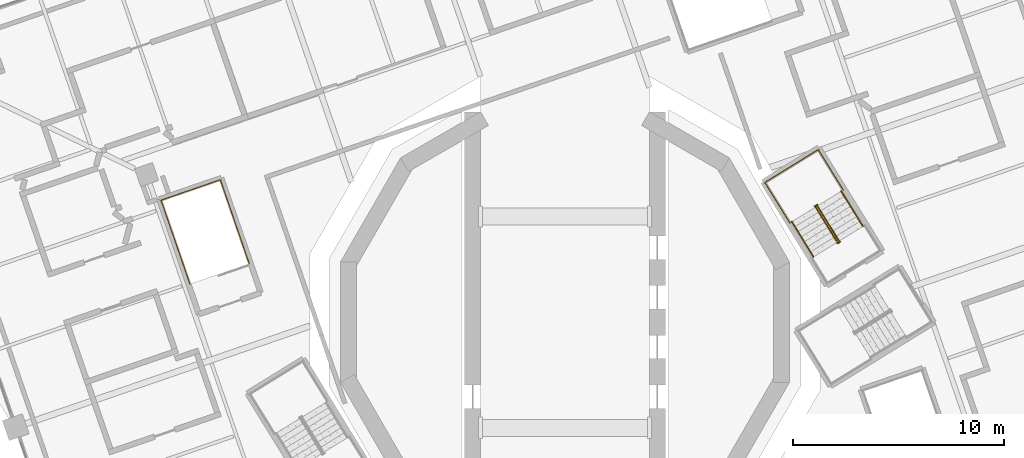
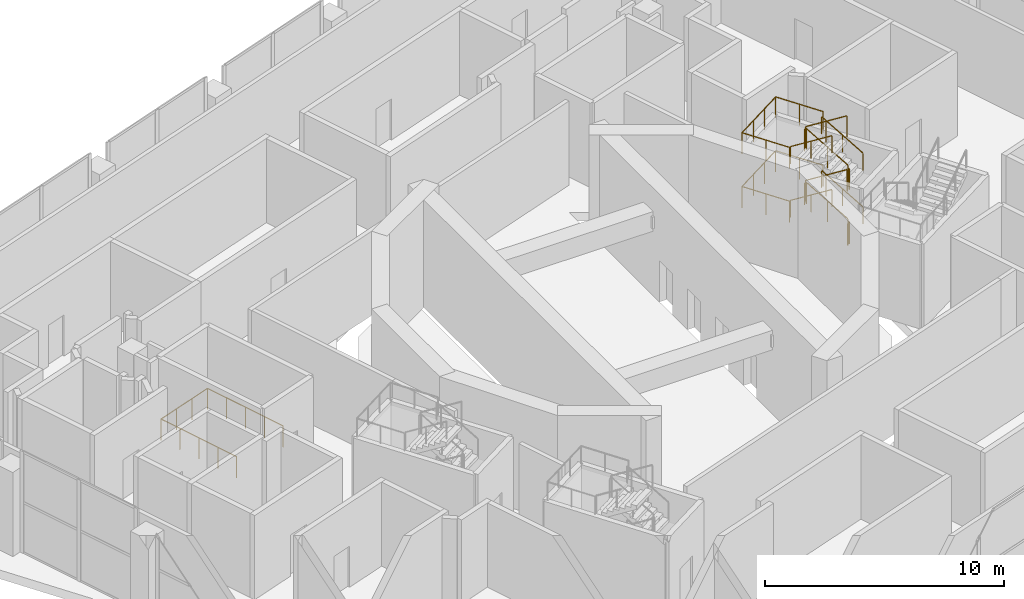
# One storey, part 19 of 20: 12 railings.
"""IFC4 building model written with IfcOpenShell, lengths in metres."""

from ifc_helpers import new_model, si_unit, direction, frame, origin, origin_2d, place, context, subcontext, project, spatial, circle, extrude, material, type_object, element, save


model = new_model("IFC4")

# Units and contexts
model_context = context("Model", 3, precision=1e-05, world=origin(), true_north=direction((0.0, 1.0)))
body_context = subcontext(model_context, "Body", "Model", "MODEL_VIEW")
ifc_project = project(units=[si_unit("LENGTHUNIT", "METRE"), si_unit("AREAUNIT", "SQUARE_METRE"), si_unit("VOLUMEUNIT", "CUBIC_METRE"), si_unit("PLANEANGLEUNIT", "RADIAN"), si_unit("MASSUNIT", "GRAM", prefix="KILO")], contexts=[model_context])

# Site, building, storey
site_placement = place(None, origin())
site = spatial("IfcSite", under=ifc_project, at=site_placement, CompositionType="ELEMENT")
building_placement = place(site_placement, origin())
building = spatial("IfcBuilding", under=site, at=building_placement, Name="Cantera Rosa Tower", CompositionType="ELEMENT")
storey_placement = place(building_placement, frame((0.0, 0.0, 142.10009765625)))
storey = spatial("IfcBuildingStorey", under=building, at=storey_placement, Name="L30", CompositionType="ELEMENT", Elevation=142.10009765625)

# Railings
ifc_material_1 = material(Name="Steel S355J2 (EN 10025-2)", Category="steel")
railing_type_1 = type_object("IfcRailingType", Name="STAIR GUARD 1100", PredefinedType="GUARDRAIL", material=ifc_material_1)
railing_1_placement = place(storey_placement, frame((-14.944091796875, 2.77099609375, 0.0)))
element("IfcRailing", 1, at=railing_1_placement, inside=storey, type_object=railing_type_1, Name="L30 ST-22 top well guard 2", PredefinedType="GUARDRAIL", context=body_context, shape_type="SweptSolid", body=[
    extrude(circle(Radius=0.02392578125, at=origin_2d()), frame((0.0, 0.0, 1.076171875), z_axis=(-0.325546180042, 0.945526141712, 0.0), x_axis=(-0.945526141712, -0.325546180042, 0.0)), (0.0, 0.0, 1.0), 4.1982421875),
    extrude(circle(Radius=0.02392578125, at=origin_2d()), frame((-1.36669921875, 3.969482421875, 1.076171875), z_axis=(-0.945504814226, -0.325608117645, 0.0), x_axis=(0.325608117645, -0.945504814226, 0.0)), (0.0, 0.0, 1.0), 2.969970703125),
    extrude(circle(Radius=0.02392578125, at=origin_2d()), frame((-4.1748046875, 3.00244140625, 1.076171875), z_axis=(0.325564081496, -0.945519978022, 0.0), x_axis=(0.945519978022, 0.325564081496, 0.0)), (0.0, 0.0, 1.0), 4.197998046875),
    extrude(circle(Radius=0.02099609375, at=origin_2d()), origin(), (0.0, 0.0, 1.0), 1.052001953125),
    extrude(circle(Radius=0.02099609375, at=origin_2d()), frame((-0.341796875, 0.992431640625, 0.0)), (0.0, 0.0, 1.0), 1.052001953125),
    extrude(circle(Radius=0.02099609375, at=origin_2d()), frame((-0.683349609375, 1.98486328125, 0.0)), (0.0, 0.0, 1.0), 1.052001953125),
    extrude(circle(Radius=0.02099609375, at=origin_2d()), frame((-1.02490234375, 2.97705078125, 0.0)), (0.0, 0.0, 1.0), 1.052001953125),
    extrude(circle(Radius=0.02099609375, at=origin_2d()), frame((-1.36669921875, 3.969482421875, 0.0)), (0.0, 0.0, 1.0), 1.052001953125),
    extrude(circle(Radius=0.02099609375, at=origin_2d()), frame((-2.302734375, 3.647216796875, 0.0)), (0.0, 0.0, 1.0), 1.052001953125),
    extrude(circle(Radius=0.02099609375, at=origin_2d()), frame((-3.23876953125, 3.32470703125, 0.0)), (0.0, 0.0, 1.0), 1.052001953125),
    extrude(circle(Radius=0.02099609375, at=origin_2d()), frame((-4.1748046875, 3.00244140625, 0.0)), (0.0, 0.0, 1.0), 1.052001953125),
    extrude(circle(Radius=0.02099609375, at=origin_2d()), frame((-3.8330078125, 2.01025390625, 0.0)), (0.0, 0.0, 1.0), 1.052001953125),
    extrude(circle(Radius=0.02099609375, at=origin_2d()), frame((-3.491455078125, 1.017822265625, 0.0)), (0.0, 0.0, 1.0), 1.052001953125),
    extrude(circle(Radius=0.02099609375, at=origin_2d()), frame((-3.14990234375, 0.025390625, 0.0)), (0.0, 0.0, 1.0), 1.052001953125),
    extrude(circle(Radius=0.02099609375, at=origin_2d()), frame((-2.80810546875, -0.966796875, 0.0)), (0.0, 0.0, 1.0), 1.052001953125),
])
railing_2_placement = place(storey_placement, frame((12.9765625, 3.834228515625, 0.171875)))
element("IfcRailing", 2, at=railing_2_placement, inside=storey, type_object=railing_type_1, Name="L30 ST-31 stair guard 1", PredefinedType="GUARDRAIL", context=body_context, shape_type="SweptSolid", body=[
    extrude(circle(Radius=0.02392578125, at=origin_2d()), frame((0.0, 0.0, 1.076171875), z_axis=(-0.447354972853, 0.725385982322, 0.523152659283), x_axis=(-0.85115324613, -0.524917280724, 0.0)), (0.0, 0.0, 1.0), 2.2998046875),
    extrude(circle(Radius=0.02392578125, at=origin_2d()), frame((-1.02880859375, 1.668212890625, 2.279296875), z_axis=(-0.073711968402, 0.997279572494, 0.0), x_axis=(-0.997279572494, -0.073711968402, 0.0)), (0.0, 0.0, 1.0), 0.056396484375),
    extrude(circle(Radius=0.02392578125, at=origin_2d()), frame((-1.032958984375, 1.724365234375, 2.279296875), z_axis=(-0.850819388589, -0.525458245725, 0.0), x_axis=(0.525458245725, -0.850819388589, 0.0)), (0.0, 0.0, 1.0), 0.150146484375),
    extrude(circle(Radius=0.02099609375, at=origin_2d()), origin(), (0.0, 0.0, 1.0), 1.052001953125),
    extrude(circle(Radius=0.02099609375, at=origin_2d()), frame((-0.514404296875, 0.833984375, 0.6015625)), (0.0, 0.0, 1.0), 1.052001953125),
    extrude(circle(Radius=0.02099609375, at=origin_2d()), frame((-1.02880859375, 1.668212890625, 1.203125)), (0.0, 0.0, 1.0), 1.052001953125),
    extrude(circle(Radius=0.02099609375, at=origin_2d()), frame((-1.032958984375, 1.724365234375, 1.203125)), (0.0, 0.0, 1.0), 1.052001953125),
    extrude(circle(Radius=0.02099609375, at=origin_2d()), frame((-1.16064453125, 1.6455078125, 1.203125)), (0.0, 0.0, 1.0), 1.052001953125),
])
railing_3_placement = place(storey_placement, frame((11.8642578125, 5.450927734375, 1.546875)))
element("IfcRailing", 3, at=railing_3_placement, inside=storey, type_object=railing_type_1, Name="L30 ST-31 stair guard 2", PredefinedType="GUARDRAIL", context=body_context, shape_type="SweptSolid", body=[
    extrude(circle(Radius=0.02392578125, at=origin_2d()), frame((0.0, 0.0, 1.076171875), z_axis=(0.447439880758, -0.725351531487, 0.523127813137), x_axis=(0.851097591167, 0.525007514528, 0.0)), (0.0, 0.0, 1.0), 2.2998046875),
    extrude(circle(Radius=0.02392578125, at=origin_2d()), frame((1.029052734375, -1.668212890625, 2.279296875), z_axis=(0.073711968402, -0.997279572494, 0.0), x_axis=(0.997279572494, 0.073711968402, 0.0)), (0.0, 0.0, 1.0), 0.056396484375),
    extrude(circle(Radius=0.02392578125, at=origin_2d()), frame((1.033203125, -1.724365234375, 2.279296875), z_axis=(0.851546489876, 0.524279100842, 0.0), x_axis=(-0.524279100842, 0.851546489876, 0.0)), (0.0, 0.0, 1.0), 0.14990234375),
    extrude(circle(Radius=0.02099609375, at=origin_2d()), origin(), (0.0, 0.0, 1.0), 1.052001953125),
    extrude(circle(Radius=0.02099609375, at=origin_2d()), frame((0.5146484375, -0.833984375, 0.6015625)), (0.0, 0.0, 1.0), 1.052001953125),
    extrude(circle(Radius=0.02099609375, at=origin_2d()), frame((1.029052734375, -1.668212890625, 1.203125)), (0.0, 0.0, 1.0), 1.052001953125),
    extrude(circle(Radius=0.02099609375, at=origin_2d()), frame((1.033203125, -1.724365234375, 1.203125)), (0.0, 0.0, 1.0), 1.052001953125),
    extrude(circle(Radius=0.02099609375, at=origin_2d()), frame((1.160888671875, -1.645751953125, 1.203125)), (0.0, 0.0, 1.0), 1.052001953125),
])
railing_4_placement = place(storey_placement, frame((12.9765625, 3.834228515625, 2.921875)))
element("IfcRailing", 4, at=railing_4_placement, inside=storey, type_object=railing_type_1, Name="L30 ST-31 stair guard 3", PredefinedType="GUARDRAIL", context=body_context, shape_type="SweptSolid", body=[
    extrude(circle(Radius=0.02392578125, at=origin_2d()), frame((0.0, 0.0, 1.076171875), z_axis=(-0.447354972853, 0.725385982322, 0.523152659283), x_axis=(-0.85115324613, -0.524917280724, 0.0)), (0.0, 0.0, 1.0), 2.2998046875),
    extrude(circle(Radius=0.02392578125, at=origin_2d()), frame((-1.02880859375, 1.668212890625, 2.279296875), z_axis=(-0.073711968402, 0.997279572494, 0.0), x_axis=(-0.997279572494, -0.073711968402, 0.0)), (0.0, 0.0, 1.0), 0.056396484375),
    extrude(circle(Radius=0.02392578125, at=origin_2d()), frame((-1.032958984375, 1.724365234375, 2.279296875), z_axis=(-0.850819388589, -0.525458245725, 0.0), x_axis=(0.525458245725, -0.850819388589, 0.0)), (0.0, 0.0, 1.0), 0.150146484375),
    extrude(circle(Radius=0.02099609375, at=origin_2d()), origin(), (0.0, 0.0, 1.0), 1.052001953125),
    extrude(circle(Radius=0.02099609375, at=origin_2d()), frame((-0.514404296875, 0.833984375, 0.6015625)), (0.0, 0.0, 1.0), 1.052001953125),
    extrude(circle(Radius=0.02099609375, at=origin_2d()), frame((-1.02880859375, 1.668212890625, 1.203125)), (0.0, 0.0, 1.0), 1.052001953125),
    extrude(circle(Radius=0.02099609375, at=origin_2d()), frame((-1.032958984375, 1.724365234375, 1.203125)), (0.0, 0.0, 1.0), 1.052001953125),
    extrude(circle(Radius=0.02099609375, at=origin_2d()), frame((-1.16064453125, 1.6455078125, 1.203125)), (0.0, 0.0, 1.0), 1.052001953125),
])
railing_5_placement = place(storey_placement, frame((11.8642578125, 5.450927734375, 4.296875)))
element("IfcRailing", 5, at=railing_5_placement, inside=storey, type_object=railing_type_1, Name="L30 ST-31 stair guard 4", PredefinedType="GUARDRAIL", context=body_context, shape_type="SweptSolid", body=[
    extrude(circle(Radius=0.02392578125, at=origin_2d()), frame((0.0, 0.0, 1.076171875), z_axis=(0.447439880758, -0.725351531487, 0.523127813137), x_axis=(0.851097591167, 0.525007514528, 0.0)), (0.0, 0.0, 1.0), 2.2998046875),
    extrude(circle(Radius=0.02099609375, at=origin_2d()), origin(), (0.0, 0.0, 1.0), 1.052001953125),
    extrude(circle(Radius=0.02099609375, at=origin_2d()), frame((0.5146484375, -0.833984375, 0.6015625)), (0.0, 0.0, 1.0), 1.052001953125),
    extrude(circle(Radius=0.02099609375, at=origin_2d()), frame((1.029052734375, -1.668212890625, 1.203125)), (0.0, 0.0, 1.0), 1.052001953125),
])
railing_6_placement = place(storey_placement, frame((13.025146484375, 3.80517578125, 0.0)))
element("IfcRailing", 6, at=railing_6_placement, inside=storey, type_object=railing_type_1, Name="L30 ST-31 stair guard 5", PredefinedType="GUARDRAIL", context=body_context, shape_type="SweptSolid", body=[
    extrude(circle(Radius=0.02392578125, at=origin_2d()), frame((0.0, 0.0, 1.076171875), z_axis=(-0.851546489876, -0.524279100842, 0.0), x_axis=(0.524279100842, -0.851546489876, 0.0)), (0.0, 0.0, 1.0), 0.14990234375),
    extrude(circle(Radius=0.02099609375, at=origin_2d()), origin(), (0.0, 0.0, 1.0), 1.052001953125),
    extrude(circle(Radius=0.02099609375, at=origin_2d()), frame((-0.127685546875, -0.07861328125, 0.0)), (0.0, 0.0, 1.0), 1.052001953125),
])
for number, where, name in (
    (7, (13.17626953125, 6.24609375, 1.375), "L30 ST-31 stair guard 6"),
    (8, (13.17626953125, 6.24609375, 4.125), "L30 ST-31 stair guard 8"),
):
    element("IfcRailing", number, at=place(storey_placement, frame(where)), inside=storey, type_object=railing_type_1, Name=name, PredefinedType="GUARDRAIL", context=body_context, shape_type="SweptSolid", body=[
        extrude(circle(Radius=0.02392578125, at=origin_2d()), frame((0.0, 0.0, 1.076171875), z_axis=(-0.525012514919, 0.851094506608, 0.0), x_axis=(-0.851094506608, -0.525012514919, 0.0)), (0.0, 0.0, 1.0), 2.261962890625),
        extrude(circle(Radius=0.02392578125, at=origin_2d()), frame((-1.1875, 1.925048828125, 1.076171875), z_axis=(-0.851132917336, -0.524950242429, 0.0), x_axis=(0.524950242429, -0.851132917336, 0.0)), (0.0, 0.0, 1.0), 2.969970703125),
        extrude(circle(Radius=0.02392578125, at=origin_2d()), frame((-3.71533203125, 0.365966796875, 1.076171875), z_axis=(0.524964287811, -0.851124254456, 0.0), x_axis=(0.851124254456, 0.524964287811, 0.0)), (0.0, 0.0, 1.0), 2.261962890625),
        extrude(circle(Radius=0.02099609375, at=origin_2d()), origin(), (0.0, 0.0, 1.0), 1.052001953125),
        extrude(circle(Radius=0.02099609375, at=origin_2d()), frame((-0.59375, 0.96240234375, 0.0)), (0.0, 0.0, 1.0), 1.052001953125),
        extrude(circle(Radius=0.02099609375, at=origin_2d()), frame((-1.1875, 1.925048828125, 0.0)), (0.0, 0.0, 1.0), 1.052001953125),
        extrude(circle(Radius=0.02099609375, at=origin_2d()), frame((-2.030029296875, 1.4052734375, 0.0)), (0.0, 0.0, 1.0), 1.052001953125),
        extrude(circle(Radius=0.02099609375, at=origin_2d()), frame((-2.872802734375, 0.8857421875, 0.0)), (0.0, 0.0, 1.0), 1.052001953125),
        extrude(circle(Radius=0.02099609375, at=origin_2d()), frame((-3.71533203125, 0.365966796875, 0.0)), (0.0, 0.0, 1.0), 1.052001953125),
        extrude(circle(Radius=0.02099609375, at=origin_2d()), frame((-3.12158203125, -0.5966796875, 0.0)), (0.0, 0.0, 1.0), 1.052001953125),
        extrude(circle(Radius=0.02099609375, at=origin_2d()), frame((-2.52783203125, -1.559326171875, 0.0)), (0.0, 0.0, 1.0), 1.052001953125),
    ])
ifc_material_2 = material(Name="Steel S355J2 (EN 10025-2)", Category="steel")
railing_type_2 = type_object("IfcRailingType", Name="STAIR HANDRAIL 900", PredefinedType="HANDRAIL", material=ifc_material_2)
railing_7_placement = place(storey_placement, frame((14.105224609375, 4.5302734375, 0.171875)))
element("IfcRailing", 9, at=railing_7_placement, inside=storey, type_object=railing_type_2, Name="L30 ST-31 stair handrail 1", PredefinedType="HANDRAIL", context=body_context, shape_type="SweptSolid", body=[
    extrude(circle(Radius=0.02392578125, at=origin_2d()), frame((0.0, 0.0, 0.8759765625), z_axis=(-0.447354972853, 0.725385982322, 0.523152659283), x_axis=(-0.85115324613, -0.524917280724, 0.0)), (0.0, 0.0, 1.0), 2.2998046875),
    extrude(circle(Radius=0.02099609375, at=origin_2d()), origin(), (0.0, 0.0, 1.0), 0.851806640625),
    extrude(circle(Radius=0.02099609375, at=origin_2d()), frame((-0.514404296875, 0.833984375, 0.6015625)), (0.0, 0.0, 1.0), 0.851806640625),
    extrude(circle(Radius=0.02099609375, at=origin_2d()), frame((-1.02880859375, 1.668212890625, 1.203125)), (0.0, 0.0, 1.0), 0.851806640625),
])
railing_8_placement = place(storey_placement, frame((10.73583984375, 4.7548828125, 1.546875)))
element("IfcRailing", 10, at=railing_8_placement, inside=storey, type_object=railing_type_2, Name="L30 ST-31 stair handrail 2", PredefinedType="HANDRAIL", context=body_context, shape_type="SweptSolid", body=[
    extrude(circle(Radius=0.02392578125, at=origin_2d()), frame((0.0, 0.0, 0.8759765625), z_axis=(0.447354972853, -0.725385982322, 0.523152659283), x_axis=(0.85115324613, 0.524917280724, 0.0)), (0.0, 0.0, 1.0), 2.2998046875),
    extrude(circle(Radius=0.02099609375, at=origin_2d()), origin(), (0.0, 0.0, 1.0), 0.851806640625),
    extrude(circle(Radius=0.02099609375, at=origin_2d()), frame((0.514404296875, -0.833984375, 0.6015625)), (0.0, 0.0, 1.0), 0.851806640625),
    extrude(circle(Radius=0.02099609375, at=origin_2d()), frame((1.02880859375, -1.668212890625, 1.203125)), (0.0, 0.0, 1.0), 0.851806640625),
])
railing_9_placement = place(storey_placement, frame((14.105224609375, 4.5302734375, 2.921875)))
element("IfcRailing", 11, at=railing_9_placement, inside=storey, type_object=railing_type_2, Name="L30 ST-31 stair handrail 3", PredefinedType="HANDRAIL", context=body_context, shape_type="SweptSolid", body=[
    extrude(circle(Radius=0.02392578125, at=origin_2d()), frame((0.0, 0.0, 0.8759765625), z_axis=(-0.447354972853, 0.725385982322, 0.523152659283), x_axis=(-0.85115324613, -0.524917280724, 0.0)), (0.0, 0.0, 1.0), 2.2998046875),
    extrude(circle(Radius=0.02099609375, at=origin_2d()), origin(), (0.0, 0.0, 1.0), 0.851806640625),
    extrude(circle(Radius=0.02099609375, at=origin_2d()), frame((-0.514404296875, 0.833984375, 0.6015625)), (0.0, 0.0, 1.0), 0.851806640625),
    extrude(circle(Radius=0.02099609375, at=origin_2d()), frame((-1.02880859375, 1.668212890625, 1.203125)), (0.0, 0.0, 1.0), 0.851806640625),
])
railing_10_placement = place(storey_placement, frame((10.73583984375, 4.7548828125, 4.296875)))
element("IfcRailing", 12, at=railing_10_placement, inside=storey, type_object=railing_type_2, Name="L30 ST-31 stair handrail 4", PredefinedType="HANDRAIL", context=body_context, shape_type="SweptSolid", body=[
    extrude(circle(Radius=0.02392578125, at=origin_2d()), frame((0.0, 0.0, 0.8759765625), z_axis=(0.447354972853, -0.725385982322, 0.523152659283), x_axis=(0.85115324613, 0.524917280724, 0.0)), (0.0, 0.0, 1.0), 2.2998046875),
    extrude(circle(Radius=0.02099609375, at=origin_2d()), origin(), (0.0, 0.0, 1.0), 0.851806640625),
    extrude(circle(Radius=0.02099609375, at=origin_2d()), frame((0.514404296875, -0.833984375, 0.6015625)), (0.0, 0.0, 1.0), 0.851806640625),
    extrude(circle(Radius=0.02099609375, at=origin_2d()), frame((1.02880859375, -1.668212890625, 1.203125)), (0.0, 0.0, 1.0), 0.851806640625),
])

save(model, "model.ifc")
